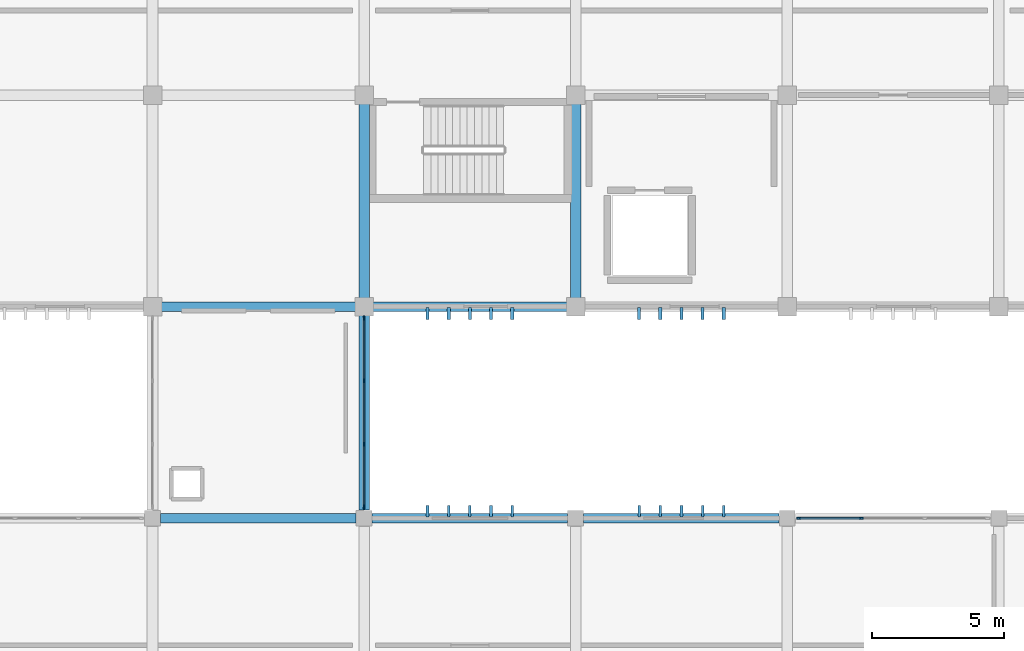
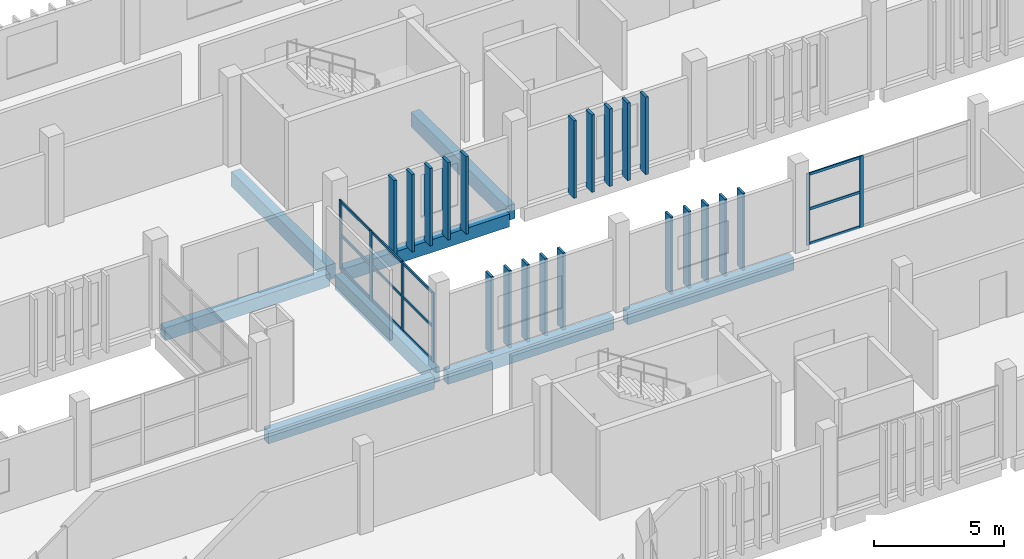
# One storey, part 28 of 83: 38 members, 8 beams, 2 elements without a shape of their own.
"""IFC4 building model written with IfcOpenShell, lengths in metres."""

import ifcopenshell
import ifcopenshell.guid

model = None  # the IFC model being written
_history = None  # IfcOwnerHistory: only IFC2X3 demands one
_inside = {}  # id of a spatial element -> (the spatial element, [elements in it])
_under = {}  # id of a project, library or spatial element -> (it, [spatial elements below it])
_declared = {}  # id of a project -> (the project, [libraries it declares])
_typed = {}  # id of a type object -> (the type object, [elements of that type])
_made_of = {}  # id of a material, layer set ... -> (it, [elements and type objects made of it])


def new_model(schema):
    """Start an empty IFC model of exactly this schema.

    Asked for "IFC4X3", IfcOpenShell would pick the latest addendum, in which some entities
    have other attributes; the version numbers below select the first issue.
    IFC2X3 requires an IfcOwnerHistory on every rooted entity: one is made here for all.
    """
    global model, _history
    if schema == "IFC4X3":
        model = ifcopenshell.file(schema_version=(4, 3, 0, 0))
    else:
        model = ifcopenshell.file(schema=schema)
    _inside.clear()
    _under.clear()
    _declared.clear()
    _typed.clear()
    _made_of.clear()
    _history = None
    if model.schema == "IFC2X3":
        org = make("IfcOrganization", Name="unknown")
        user = make(
            "IfcPersonAndOrganization",
            ThePerson=make("IfcPerson", FamilyName="unknown"),
            TheOrganization=org,
        )
        app = make(
            "IfcApplication",
            ApplicationDeveloper=org,
            Version="unknown",
            ApplicationFullName="unknown",
            ApplicationIdentifier="unknown",
        )
        _history = make(
            "IfcOwnerHistory",
            OwningUser=user,
            OwningApplication=app,
            ChangeAction="ADDED",
            CreationDate=0,
        )
    return model


def make(cls, **values):
    """One entity of the class cls with the attributes given. An attribute that is None is left unset."""
    return model.create_entity(
        cls, **{name: value for name, value in values.items() if value is not None}
    )


def rooted(cls, **values):
    """An entity with a GlobalId (a new one), such as an element, a storey or a relation."""
    return make(cls, GlobalId=ifcopenshell.guid.new(), OwnerHistory=_history, **values)


def si_unit(unit_type, name, prefix=None):
    """IfcSIUnit, for example si_unit("LENGTHUNIT", "METRE", prefix="MILLI")."""
    return make("IfcSIUnit", UnitType=unit_type, Prefix=prefix, Name=name)


def assignment(units):
    """IfcUnitAssignment: the units of a project."""
    return None if units is None else make("IfcUnitAssignment", Units=units)


def point(xyz):
    """IfcCartesianPoint."""
    return None if xyz is None else make("IfcCartesianPoint", Coordinates=xyz)


def direction(xyz):
    """IfcDirection."""
    return None if xyz is None else make("IfcDirection", DirectionRatios=xyz)


def frame(location, z_axis=None, x_axis=None):
    """IfcAxis2Placement3D, a coordinate frame: its origin and axes. An axis left out is left unset."""
    return make(
        "IfcAxis2Placement3D",
        Location=point(location),
        Axis=direction(z_axis),
        RefDirection=direction(x_axis),
    )


def frame_2d(location, x_axis=None):
    """IfcAxis2Placement2D, a coordinate frame in the plane: its origin and x axis."""
    return make(
        "IfcAxis2Placement2D", Location=point(location), RefDirection=direction(x_axis)
    )


def origin():
    """The frame at (0, 0, 0) with its axes left unset."""
    return frame((0.0, 0.0, 0.0))


def origin_2d():
    """The frame at (0, 0) in the plane with its x axis left unset."""
    return frame_2d((0.0, 0.0))


def place(relative_to, where):
    """IfcLocalPlacement: puts the frame where relative to a parent placement (None: the world)."""
    return make(
        "IfcLocalPlacement", PlacementRelTo=relative_to, RelativePlacement=where
    )


def context(
    kind, dimensions, precision=None, world=None, true_north=None, identifier=None
):
    """IfcGeometricRepresentationContext, for example the 3D "Model" context."""
    return make(
        "IfcGeometricRepresentationContext",
        ContextIdentifier=identifier,
        ContextType=kind,
        CoordinateSpaceDimension=dimensions,
        Precision=precision,
        WorldCoordinateSystem=world,
        TrueNorth=true_north,
    )


def subcontext(parent, identifier, kind, view, scale=None):
    """IfcGeometricRepresentationSubContext, for example "Body" below "Model"."""
    return make(
        "IfcGeometricRepresentationSubContext",
        ContextIdentifier=identifier,
        ContextType=kind,
        ParentContext=parent,
        TargetScale=scale,
        TargetView=view,
    )


def project(units=None, contexts=None):
    """IfcProject with its units and contexts."""
    return rooted(
        "IfcProject",
        Name="project",
        RepresentationContexts=contexts,
        UnitsInContext=assignment(units),
    )


def spatial(cls, under=None, at=None, **own):
    """A site, building, storey or space (cls), placed at a placement, below another one or the project."""
    s = rooted(cls, ObjectPlacement=at, **own)
    if under is not None:
        _under.setdefault(under.id(), (under, []))[1].append(s)
    return s


def profile(cls, at=None, kind="AREA", **sizes):
    """A parametric profile (cls). Its sizes go by their IFC names, for example OverallWidth=200.0."""
    return make(cls, ProfileType=kind, Position=at, **sizes)


def rectangle(**sizes):
    """IfcRectangleProfileDef."""
    return profile("IfcRectangleProfileDef", **sizes)


def extrude(swept, where, along, depth):
    """IfcExtrudedAreaSolid: the profile swept, set in the frame where, extruded along a direction by depth."""
    return make(
        "IfcExtrudedAreaSolid",
        SweptArea=swept,
        Position=where,
        ExtrudedDirection=direction(along),
        Depth=depth,
    )


def shape(context_of_items, identifier, shape_type, items):
    """IfcShapeRepresentation: the items that make up one representation, for example the "Body"."""
    return make(
        "IfcShapeRepresentation",
        ContextOfItems=context_of_items,
        RepresentationIdentifier=identifier,
        RepresentationType=shape_type,
        Items=items,
    )


def material(Name=None, Category=None):
    """IfcMaterial."""
    return make("IfcMaterial", Name=Name, Category=Category)


def layer(
    of_material, thickness, ventilated=None, Name=None, Category=None, Priority=None
):
    """IfcMaterialLayer: one layer of a wall or slab, of a material (None: an air gap)."""
    return make(
        "IfcMaterialLayer",
        Material=of_material,
        LayerThickness=thickness,
        IsVentilated=ventilated,
        Name=Name,
        Category=Category,
        Priority=Priority,
    )


def layer_set(layers, Name=None):
    """IfcMaterialLayerSet."""
    return make("IfcMaterialLayerSet", MaterialLayers=layers, LayerSetName=Name)


def material_profile(
    of_material, cross_section, Name=None, Category=None, Priority=None
):
    """IfcMaterialProfile: a cross section and its material."""
    return make(
        "IfcMaterialProfile",
        Name=Name,
        Material=of_material,
        Profile=cross_section,
        Priority=Priority,
        Category=Category,
    )


def profile_set(profiles, Name=None, composite=None):
    """IfcMaterialProfileSet."""
    return make(
        "IfcMaterialProfileSet",
        Name=Name,
        MaterialProfiles=profiles,
        CompositeProfile=composite,
    )


def made_of(thing, what):
    """Note that an element or type object is made of a material, layer set ...; save() writes the relation."""
    if what is not None:
        _made_of.setdefault(what.id(), (what, []))[1].append(thing)
    return thing


def type_object(cls, material=None, **own):
    """A type object (cls), such as IfcWallType, which elements share."""
    return made_of(rooted(cls, **own), material)


def element(
    cls,
    number,
    at=None,
    inside=None,
    cuts=None,
    type_object=None,
    material=None,
    context=None,
    identifier="Body",
    shape_type=None,
    held_by="IfcProductDefinitionShape",
    body=None,
    shapes=None,
    **own,
):
    """One element of the class cls, such as IfcWall. Its Tag is "e" and its number.

    at: its placement. inside: the storey or other place that contains it. cuts: it is an
    opening in that element (IfcRelVoidsElement). A single representation is given by context,
    identifier, shape_type and body (its items); several are given by shapes. held_by: the class
    of the entity that holds the representations. save() writes the other relations.
    """
    e = rooted(cls, Tag="e%d" % number, ObjectPlacement=at, **own)
    if body is not None:
        shapes = [shape(context, identifier, shape_type, body)]
    if shapes is not None:
        e.Representation = make(held_by, Representations=shapes)
    if inside is not None:
        _inside.setdefault(inside.id(), (inside, []))[1].append(e)
    if cuts is not None:
        rooted(
            "IfcRelVoidsElement", RelatingBuildingElement=cuts, RelatedOpeningElement=e
        )
    if type_object is not None:
        _typed.setdefault(type_object.id(), (type_object, []))[1].append(e)
    return made_of(e, material)


def aggregate(whole, parts):
    """IfcRelAggregates: a whole, such as a stair, and the parts it consists of."""
    return rooted("IfcRelAggregates", RelatingObject=whole, RelatedObjects=parts)


def save(model, path):
    """Write the relations noted so far, then the file.

    IfcRelAggregates (storeys below a building ...), IfcRelContainedInSpatialStructure (elements
    in a storey), IfcRelDefinesByType, IfcRelAssociatesMaterial and IfcRelDeclares: one each for
    every whole, place, type object, material and project.
    """
    for whole, parts in _under.values():
        aggregate(whole, parts)
    for where, things in _inside.values():
        rooted(
            "IfcRelContainedInSpatialStructure",
            RelatedElements=things,
            RelatingStructure=where,
        )
    for kind, things in _typed.values():
        rooted("IfcRelDefinesByType", RelatedObjects=things, RelatingType=kind)
    for what, things in _made_of.values():
        rooted("IfcRelAssociatesMaterial", RelatedObjects=things, RelatingMaterial=what)
    for by, libraries in _declared.values():
        rooted("IfcRelDeclares", RelatingContext=by, RelatedDefinitions=libraries)
    model.write(path)


model = new_model("IFC4")

# Units and contexts
model_context = context("Model", 3, precision=1e-05, world=origin(), true_north=direction((0.0, 1.0)))
body_context = subcontext(model_context, "Body", "Model", "MODEL_VIEW")
ifc_project = project(units=[si_unit("LENGTHUNIT", "METRE"), si_unit("AREAUNIT", "SQUARE_METRE"), si_unit("VOLUMEUNIT", "CUBIC_METRE"), si_unit("PLANEANGLEUNIT", "RADIAN"), si_unit("MASSUNIT", "GRAM", prefix="KILO")], contexts=[model_context])

# Site, building, storey
site_placement = place(None, origin())
site = spatial("IfcSite", under=ifc_project, at=site_placement, CompositionType="ELEMENT")
building_placement = place(site_placement, origin())
building = spatial("IfcBuilding", under=site, at=building_placement, Name="Jelvoka-Kovrelna Polytechnic", CompositionType="ELEMENT")
storey_placement = place(building_placement, frame((0.0, 0.0, 13.800048828125)))
storey = spatial("IfcBuildingStorey", under=building, at=storey_placement, Name="L04", CompositionType="ELEMENT", Elevation=13.800048828125)

# Beams
ifc_material_1 = material(Name="Concrete C40/50", Category="concrete")
ifc_material_profile_1 = material_profile(ifc_material_1, rectangle(XDim=0.39990234375, YDim=0.699951171875, at=origin_2d()), Name="RC 400x700")
ifc_profile_set_1 = profile_set([ifc_material_profile_1], Name="Concrete C40/50")
beam_type_1 = type_object("IfcBeamType", Name="Beam_RC_400x700", PredefinedType="BEAM", material=ifc_profile_set_1)
for number, where, z_axis, x_axis, name in (
    (1, (80.0, 56.330078125, -0.60009765625), (0.0, 1.0, 0.0), (-1.0, 0.0, 0.0), "L04 beam 1284"),
    (2, (88.0, 56.330078125, -0.60009765625), (0.0, 1.0, 0.0), (-1.0, 0.0, 0.0), "L04 beam 1286"),
):
    element("IfcBeam", number, at=place(storey_placement, frame(where, z_axis=z_axis, x_axis=x_axis)), inside=storey, type_object=beam_type_1, Name=name, PredefinedType="BEAM", context=body_context, shape_type="SweptSolid", body=[
        extrude(rectangle(XDim=0.39990234375, YDim=0.699951171875, at=origin_2d()), origin(), (0.0, 0.0, 1.0), 7.33984375),
    ])
beam_placement = place(storey_placement, frame((80.0, 48.304931640625, -0.60009765625), z_axis=(0.0, 1.0, 0.0), x_axis=(-1.0, 0.0, 0.0)))
element("IfcBeam", 3, at=beam_placement, inside=storey, type_object=beam_type_1, Name="L04 beam 1364", PredefinedType="BEAM", context=body_context, shape_type="SweptSolid", body=[
    extrude(rectangle(XDim=0.39990234375, YDim=0.699951171875, at=origin_2d()), origin(), (0.0, 0.0, 1.0), 7.364990234375),
])

# Members
ifc_material_2 = material(Name="Precast concrete C40/50", Category="concrete")
ifc_material_profile_2 = material_profile(ifc_material_2, rectangle(XDim=0.10009765625, YDim=0.449951171875, at=origin_2d()), Name="PC 100x450")
ifc_profile_set_2 = profile_set([ifc_material_profile_2], Name="Precast concrete C40/50")
member_type_1 = type_object("IfcMemberType", Name="Louvre_Fin_100x450", PredefinedType="USERDEFINED", material=ifc_profile_set_2)
for number, where, z_axis, x_axis, name in (
    (4, (82.39990234375, 48.264892578125, -0.27001953125), (0.0, 0.0, 1.0), (1.0, 0.0, 0.0), "L04 B2W north vertical solar louvre fin 0721"),
    (5, (83.199951171875, 48.264892578125, -0.27001953125), (0.0, 0.0, 1.0), (1.0, 0.0, 0.0), "L04 B2W north vertical solar louvre fin 0722"),
    (6, (84.0, 48.264892578125, -0.27001953125), (0.0, 0.0, 1.0), (1.0, 0.0, 0.0), "L04 B2W north vertical solar louvre fin 0723"),
    (7, (84.800048828125, 48.264892578125, -0.27001953125), (0.0, 0.0, 1.0), (1.0, 0.0, 0.0), "L04 B2W north vertical solar louvre fin 0724"),
    (8, (85.60009765625, 48.264892578125, -0.27001953125), (0.0, 0.0, 1.0), (1.0, 0.0, 0.0), "L04 B2W north vertical solar louvre fin 0725"),
    (9, (90.39990234375, 48.264892578125, -0.27001953125), (0.0, 0.0, 1.0), (1.0, 0.0, 0.0), "L04 B2W north vertical solar louvre fin 0731"),
    (10, (91.199951171875, 48.264892578125, -0.27001953125), (0.0, 0.0, 1.0), (1.0, 0.0, 0.0), "L04 B2W north vertical solar louvre fin 0732"),
    (11, (92.0, 48.264892578125, -0.27001953125), (0.0, 0.0, 1.0), (1.0, 0.0, 0.0), "L04 B2W north vertical solar louvre fin 0733"),
    (12, (92.800048828125, 48.264892578125, -0.27001953125), (0.0, 0.0, 1.0), (1.0, 0.0, 0.0), "L04 B2W north vertical solar louvre fin 0734"),
    (13, (93.60009765625, 48.264892578125, -0.27001953125), (0.0, 0.0, 1.0), (1.0, 0.0, 0.0), "L04 B2W north vertical solar louvre fin 0735"),
):
    element("IfcMember", number, at=place(storey_placement, frame(where, z_axis=z_axis, x_axis=x_axis)), inside=storey, type_object=member_type_1, Name=name, ObjectType="SUNSHADE", PredefinedType="USERDEFINED", context=body_context, shape_type="SweptSolid", body=[
        extrude(rectangle(XDim=0.10009765625, YDim=0.449951171875, at=origin_2d()), origin(), (0.0, 0.0, 1.0), 3.64501953125),
    ])
ifc_material_3 = material(Name="Precast concrete C40/50", Category="concrete")
ifc_material_profile_3 = material_profile(ifc_material_3, rectangle(XDim=0.1201171875, YDim=0.449951171875, at=origin_2d()), Name="PC 120x450")
ifc_profile_set_3 = profile_set([ifc_material_profile_3], Name="Precast concrete C40/50")
member_type_2 = type_object("IfcMemberType", Name="Louvre_Fin_120x450", PredefinedType="USERDEFINED", material=ifc_profile_set_3)
for number, where, z_axis, x_axis, name in (
    (14, (82.39990234375, 55.735107421875, -0.27001953125), (0.0, 0.0, 1.0), (1.0, 0.0, 0.0), "L04 B3 south vertical solar louvre fin 1646"),
    (15, (83.199951171875, 55.735107421875, -0.27001953125), (0.0, 0.0, 1.0), (1.0, 0.0, 0.0), "L04 B3 south vertical solar louvre fin 1647"),
    (16, (84.0, 55.735107421875, -0.27001953125), (0.0, 0.0, 1.0), (1.0, 0.0, 0.0), "L04 B3 south vertical solar louvre fin 1648"),
    (17, (84.800048828125, 55.735107421875, -0.27001953125), (0.0, 0.0, 1.0), (1.0, 0.0, 0.0), "L04 B3 south vertical solar louvre fin 1649"),
    (18, (85.60009765625, 55.735107421875, -0.27001953125), (0.0, 0.0, 1.0), (1.0, 0.0, 0.0), "L04 B3 south vertical solar louvre fin 1650"),
    (19, (90.39990234375, 55.735107421875, -0.27001953125), (0.0, 0.0, 1.0), (1.0, 0.0, 0.0), "L04 B3 south vertical solar louvre fin 1656"),
    (20, (91.199951171875, 55.735107421875, -0.27001953125), (0.0, 0.0, 1.0), (1.0, 0.0, 0.0), "L04 B3 south vertical solar louvre fin 1657"),
    (21, (92.0, 55.735107421875, -0.27001953125), (0.0, 0.0, 1.0), (1.0, 0.0, 0.0), "L04 B3 south vertical solar louvre fin 1658"),
    (22, (92.800048828125, 55.735107421875, -0.27001953125), (0.0, 0.0, 1.0), (1.0, 0.0, 0.0), "L04 B3 south vertical solar louvre fin 1659"),
    (23, (93.60009765625, 55.735107421875, -0.27001953125), (0.0, 0.0, 1.0), (1.0, 0.0, 0.0), "L04 B3 south vertical solar louvre fin 1660"),
):
    element("IfcMember", number, at=place(storey_placement, frame(where, z_axis=z_axis, x_axis=x_axis)), inside=storey, type_object=member_type_2, Name=name, ObjectType="SUNSHADE", PredefinedType="USERDEFINED", context=body_context, shape_type="SweptSolid", body=[
        extrude(rectangle(XDim=0.1201171875, YDim=0.449951171875, at=origin_2d()), origin(), (0.0, 0.0, 1.0), 3.64501953125),
    ])

# Curtain wall, members
ifc_material_4 = material(Name="Anodised aluminium 6063-T6", Category="aluminium")
ifc_layer_1 = layer(ifc_material_4, 0.159912109375)
ifc_layer_set_1 = layer_set([ifc_layer_1], Name="Anodised aluminium 6063-T6")
curtain_wall_type_1 = type_object("IfcCurtainWallType", Name="CW_Recessed_A", PredefinedType="NOTDEFINED", material=ifc_layer_set_1)
curtain_wall_1_placement = place(storey_placement, origin())
curtain_wall_1 = element("IfcCurtainWall", 24, at=curtain_wall_1_placement, inside=storey, type_object=curtain_wall_type_1, Name="L04 glazed curtain wall 030", PredefinedType="NOTDEFINED")
ifc_material_5 = material(Name="Anodised aluminium 6063-T6", Category="aluminium")
ifc_material_profile_4 = material_profile(ifc_material_5, rectangle(XDim=0.06005859375, YDim=0.159912109375, at=origin_2d()), Name="ALU 60x160")
ifc_profile_set_4 = profile_set([ifc_material_profile_4], Name="Anodised aluminium 6063-T6")
member_type_3 = type_object("IfcMemberType", Name="Mullion_M-01", PredefinedType="MULLION", material=ifc_profile_set_4)
member_1_placement = place(storey_placement, frame((96.429931640625, 48.0, -0.02490234375), z_axis=(0.0, 0.0, 1.0), x_axis=(0.0, 1.0, 0.0)))
member_1 = element("IfcMember", 25, at=member_1_placement, type_object=member_type_3, Name="CW-01 mullion 1", PredefinedType="MULLION", context=body_context, shape_type="SweptSolid", body=[
    extrude(rectangle(XDim=0.06005859375, YDim=0.159912109375, at=origin_2d()), origin(), (0.0, 0.0, 1.0), 3.375),
])
member_2_placement = place(storey_placement, frame((98.800048828125, 48.0, -0.02490234375), z_axis=(0.0, 0.0, 1.0), x_axis=(0.0, 1.0, 0.0)))
member_2 = element("IfcMember", 26, at=member_2_placement, type_object=member_type_3, Name="CW-01 mullion 2", PredefinedType="MULLION", context=body_context, shape_type="SweptSolid", body=[
    extrude(rectangle(XDim=0.06005859375, YDim=0.159912109375, at=origin_2d()), origin(), (0.0, 0.0, 1.0), 3.375),
])

ifc_material_6 = material(Name="Anodised aluminium 6063-T6", Category="aluminium")
ifc_layer_2 = layer(ifc_material_6, 0.159912109375)
ifc_layer_set_2 = layer_set([ifc_layer_2], Name="Anodised aluminium 6063-T6")
curtain_wall_type_2 = type_object("IfcCurtainWallType", Name="CW_LinkBridge", PredefinedType="NOTDEFINED", material=ifc_layer_set_2)
curtain_wall_2_placement = place(storey_placement, origin())
curtain_wall_2 = element("IfcCurtainWall", 27, at=curtain_wall_2_placement, inside=storey, type_object=curtain_wall_type_2, Name="L04 glazed curtain wall 135", PredefinedType="NOTDEFINED")
ifc_material_7 = material(Name="Anodised aluminium 6063-T6", Category="aluminium")
ifc_material_profile_5 = material_profile(ifc_material_7, rectangle(XDim=0.06005859375, YDim=0.159912109375, at=origin_2d()), Name="ALU 60x160")
ifc_profile_set_5 = profile_set([ifc_material_profile_5], Name="Anodised aluminium 6063-T6")
member_type_4 = type_object("IfcMemberType", Name="Mullion_M-04", PredefinedType="MULLION", material=ifc_profile_set_5)
member_3_placement = place(storey_placement, frame((80.0, 55.570068359375, -0.02490234375), z_axis=(0.0, 0.0, 1.0), x_axis=(1.0, 0.0, 0.0)))
member_3 = element("IfcMember", 28, at=member_3_placement, type_object=member_type_4, Name="CW-04 mullion 1", PredefinedType="MULLION", context=body_context, shape_type="SweptSolid", body=[
    extrude(rectangle(XDim=0.06005859375, YDim=0.159912109375, at=origin_2d()), origin(), (0.0, 0.0, 1.0), 3.27490234375),
])
member_4_placement = place(storey_placement, frame((80.0, 53.199951171875, -0.02490234375), z_axis=(0.0, 0.0, 1.0), x_axis=(1.0, 0.0, 0.0)))
member_4 = element("IfcMember", 29, at=member_4_placement, type_object=member_type_4, Name="CW-04 mullion 2", PredefinedType="MULLION", context=body_context, shape_type="SweptSolid", body=[
    extrude(rectangle(XDim=0.06005859375, YDim=0.159912109375, at=origin_2d()), origin(), (0.0, 0.0, 1.0), 3.27490234375),
])
member_5_placement = place(storey_placement, frame((80.0, 50.800048828125, -0.02490234375), z_axis=(0.0, 0.0, 1.0), x_axis=(1.0, 0.0, 0.0)))
member_5 = element("IfcMember", 30, at=member_5_placement, type_object=member_type_4, Name="CW-04 mullion 3", PredefinedType="MULLION", context=body_context, shape_type="SweptSolid", body=[
    extrude(rectangle(XDim=0.06005859375, YDim=0.159912109375, at=origin_2d()), origin(), (0.0, 0.0, 1.0), 3.27490234375),
])
member_6_placement = place(storey_placement, frame((80.0, 48.429931640625, -0.02490234375), z_axis=(0.0, 0.0, 1.0), x_axis=(1.0, 0.0, 0.0)))
member_6 = element("IfcMember", 31, at=member_6_placement, type_object=member_type_4, Name="CW-04 mullion 4", PredefinedType="MULLION", context=body_context, shape_type="SweptSolid", body=[
    extrude(rectangle(XDim=0.06005859375, YDim=0.159912109375, at=origin_2d()), origin(), (0.0, 0.0, 1.0), 3.27490234375),
])

# Beams
ifc_material_8 = material(Name="Concrete C40/50", Category="concrete")
ifc_material_profile_6 = material_profile(ifc_material_8, rectangle(XDim=0.35009765625, YDim=0.60009765625, at=origin_2d()), Name="RC 350x600")
ifc_profile_set_6 = profile_set([ifc_material_profile_6], Name="Concrete C40/50")
beam_type_2 = type_object("IfcBeamType", Name="Spandrel_RC_350x600", PredefinedType="SPANDREL", material=ifc_profile_set_6)
for number, where, z_axis, x_axis, name in (
    (32, (72.304931640625, 48.0, -0.550048828125), (1.0, 0.0, 0.0), (0.0, 1.0, 0.0), "L04 beam 1191"),
    (33, (80.304931640625, 48.0, -0.550048828125), (1.0, 0.0, 0.0), (0.0, 1.0, 0.0), "L04 beam 1192"),
    (34, (88.304931640625, 48.0, -0.550048828125), (1.0, 0.0, 0.0), (0.0, 1.0, 0.0), "L04 beam 1193"),
):
    element("IfcBeam", number, at=place(storey_placement, frame(where, z_axis=z_axis, x_axis=x_axis)), inside=storey, type_object=beam_type_2, Name=name, PredefinedType="SPANDREL", context=body_context, shape_type="SweptSolid", body=[
        extrude(rectangle(XDim=0.35009765625, YDim=0.60009765625, at=origin_2d()), origin(), (0.0, 0.0, 1.0), 7.39013671875),
    ])
for number, where, z_axis, x_axis, name in (
    (35, (72.330078125, 56.0, -0.550048828125), (1.0, 0.0, 0.0), (0.0, 1.0, 0.0), "L04 beam 1260"),
    (36, (80.330078125, 56.0, -0.550048828125), (1.0, 0.0, 0.0), (0.0, 1.0, 0.0), "L04 beam 1261"),
):
    element("IfcBeam", number, at=place(storey_placement, frame(where, z_axis=z_axis, x_axis=x_axis)), inside=storey, type_object=beam_type_2, Name=name, PredefinedType="SPANDREL", context=body_context, shape_type="SweptSolid", body=[
        extrude(rectangle(XDim=0.35009765625, YDim=0.60009765625, at=origin_2d()), origin(), (0.0, 0.0, 1.0), 7.33984375),
    ])

# Member
ifc_material_9 = material(Name="Anodised aluminium 6063-T6", Category="aluminium")
ifc_material_profile_7 = material_profile(ifc_material_9, rectangle(XDim=0.06005859375, YDim=0.1201171875, at=origin_2d()), Name="ALU 60x120")
ifc_profile_set_7 = profile_set([ifc_material_profile_7], Name="Anodised aluminium 6063-T6")
member_type_5 = type_object("IfcMemberType", Name="Transom_T-01", PredefinedType="USERDEFINED", material=ifc_profile_set_7)
member_7_placement = place(storey_placement, frame((96.4599609375, 48.0, 0.030029296875), z_axis=(1.0, 0.0, 0.0), x_axis=(0.0, 1.0, 0.0)))
member_7 = element("IfcMember", 37, at=member_7_placement, type_object=member_type_5, Name="CW-01 transom 1.1", ObjectType="TRANSOM", PredefinedType="USERDEFINED", context=body_context, shape_type="SweptSolid", body=[
    extrude(rectangle(XDim=0.06005859375, YDim=0.1201171875, at=origin_2d()), origin(), (0.0, 0.0, 1.0), 2.31005859375),
])

member_8_placement = place(storey_placement, frame((96.4599609375, 48.0, 1.662353515625), z_axis=(1.0, 0.0, 0.0), x_axis=(0.0, 1.0, 0.0)))
member_8 = element("IfcMember", 38, at=member_8_placement, type_object=member_type_5, Name="CW-01 transom 1.2", ObjectType="TRANSOM", PredefinedType="USERDEFINED", context=body_context, shape_type="SweptSolid", body=[
    extrude(rectangle(XDim=0.06005859375, YDim=0.1201171875, at=origin_2d()), origin(), (0.0, 0.0, 1.0), 2.31005859375),
])

member_9_placement = place(storey_placement, frame((96.4599609375, 48.0, 3.294921875), z_axis=(1.0, 0.0, 0.0), x_axis=(0.0, 1.0, 0.0)))
member_9 = element("IfcMember", 39, at=member_9_placement, type_object=member_type_5, Name="CW-01 transom 1.3", ObjectType="TRANSOM", PredefinedType="USERDEFINED", context=body_context, shape_type="SweptSolid", body=[
    extrude(rectangle(XDim=0.06005859375, YDim=0.1201171875, at=origin_2d()), origin(), (0.0, 0.0, 1.0), 2.31005859375),
])

aggregate(curtain_wall_1, [member_1, member_2, member_7, member_8, member_9])

ifc_material_10 = material(Name="Anodised aluminium 6063-T6", Category="aluminium")
ifc_material_profile_8 = material_profile(ifc_material_10, rectangle(XDim=0.06005859375, YDim=0.1201171875, at=origin_2d()), Name="ALU 60x120")
ifc_profile_set_8 = profile_set([ifc_material_profile_8], Name="Anodised aluminium 6063-T6")
member_type_6 = type_object("IfcMemberType", Name="Transom_T-04", PredefinedType="USERDEFINED", material=ifc_profile_set_8)
member_10_placement = place(storey_placement, frame((80.0, 55.5400390625, 0.030029296875), z_axis=(0.0, -1.0, 0.0), x_axis=(1.0, 0.0, 0.0)))
member_10 = element("IfcMember", 40, at=member_10_placement, type_object=member_type_6, Name="CW-04 transom 1.1", ObjectType="TRANSOM", PredefinedType="USERDEFINED", context=body_context, shape_type="SweptSolid", body=[
    extrude(rectangle(XDim=0.06005859375, YDim=0.1201171875, at=origin_2d()), origin(), (0.0, 0.0, 1.0), 2.31005859375),
])

member_11_placement = place(storey_placement, frame((80.0, 55.5400390625, 1.612548828125), z_axis=(0.0, -1.0, 0.0), x_axis=(1.0, 0.0, 0.0)))
member_11 = element("IfcMember", 41, at=member_11_placement, type_object=member_type_6, Name="CW-04 transom 1.2", ObjectType="TRANSOM", PredefinedType="USERDEFINED", context=body_context, shape_type="SweptSolid", body=[
    extrude(rectangle(XDim=0.06005859375, YDim=0.1201171875, at=origin_2d()), origin(), (0.0, 0.0, 1.0), 2.31005859375),
])

member_12_placement = place(storey_placement, frame((80.0, 55.5400390625, 3.195068359375), z_axis=(0.0, -1.0, 0.0), x_axis=(1.0, 0.0, 0.0)))
member_12 = element("IfcMember", 42, at=member_12_placement, type_object=member_type_6, Name="CW-04 transom 1.3", ObjectType="TRANSOM", PredefinedType="USERDEFINED", context=body_context, shape_type="SweptSolid", body=[
    extrude(rectangle(XDim=0.06005859375, YDim=0.1201171875, at=origin_2d()), origin(), (0.0, 0.0, 1.0), 2.31005859375),
])

member_13_placement = place(storey_placement, frame((80.0, 53.169921875, 0.030029296875), z_axis=(0.0, -1.0, 0.0), x_axis=(1.0, 0.0, 0.0)))
member_13 = element("IfcMember", 43, at=member_13_placement, type_object=member_type_6, Name="CW-04 transom 2.1", ObjectType="TRANSOM", PredefinedType="USERDEFINED", context=body_context, shape_type="SweptSolid", body=[
    extrude(rectangle(XDim=0.06005859375, YDim=0.1201171875, at=origin_2d()), origin(), (0.0, 0.0, 1.0), 2.33984375),
])

member_14_placement = place(storey_placement, frame((80.0, 53.169921875, 1.612548828125), z_axis=(0.0, -1.0, 0.0), x_axis=(1.0, 0.0, 0.0)))
member_14 = element("IfcMember", 44, at=member_14_placement, type_object=member_type_6, Name="CW-04 transom 2.2", ObjectType="TRANSOM", PredefinedType="USERDEFINED", context=body_context, shape_type="SweptSolid", body=[
    extrude(rectangle(XDim=0.06005859375, YDim=0.1201171875, at=origin_2d()), origin(), (0.0, 0.0, 1.0), 2.33984375),
])

member_15_placement = place(storey_placement, frame((80.0, 53.169921875, 3.195068359375), z_axis=(0.0, -1.0, 0.0), x_axis=(1.0, 0.0, 0.0)))
member_15 = element("IfcMember", 45, at=member_15_placement, type_object=member_type_6, Name="CW-04 transom 2.3", ObjectType="TRANSOM", PredefinedType="USERDEFINED", context=body_context, shape_type="SweptSolid", body=[
    extrude(rectangle(XDim=0.06005859375, YDim=0.1201171875, at=origin_2d()), origin(), (0.0, 0.0, 1.0), 2.33984375),
])

member_16_placement = place(storey_placement, frame((80.0, 50.77001953125, 0.030029296875), z_axis=(0.0, -1.0, 0.0), x_axis=(1.0, 0.0, 0.0)))
member_16 = element("IfcMember", 46, at=member_16_placement, type_object=member_type_6, Name="CW-04 transom 3.1", ObjectType="TRANSOM", PredefinedType="USERDEFINED", context=body_context, shape_type="SweptSolid", body=[
    extrude(rectangle(XDim=0.06005859375, YDim=0.1201171875, at=origin_2d()), origin(), (0.0, 0.0, 1.0), 2.31005859375),
])

member_17_placement = place(storey_placement, frame((80.0, 50.77001953125, 1.612548828125), z_axis=(0.0, -1.0, 0.0), x_axis=(1.0, 0.0, 0.0)))
member_17 = element("IfcMember", 47, at=member_17_placement, type_object=member_type_6, Name="CW-04 transom 3.2", ObjectType="TRANSOM", PredefinedType="USERDEFINED", context=body_context, shape_type="SweptSolid", body=[
    extrude(rectangle(XDim=0.06005859375, YDim=0.1201171875, at=origin_2d()), origin(), (0.0, 0.0, 1.0), 2.31005859375),
])

member_18_placement = place(storey_placement, frame((80.0, 50.77001953125, 3.195068359375), z_axis=(0.0, -1.0, 0.0), x_axis=(1.0, 0.0, 0.0)))
member_18 = element("IfcMember", 48, at=member_18_placement, type_object=member_type_6, Name="CW-04 transom 3.3", ObjectType="TRANSOM", PredefinedType="USERDEFINED", context=body_context, shape_type="SweptSolid", body=[
    extrude(rectangle(XDim=0.06005859375, YDim=0.1201171875, at=origin_2d()), origin(), (0.0, 0.0, 1.0), 2.31005859375),
])

aggregate(curtain_wall_2, [member_3, member_4, member_5, member_6, member_10, member_11, member_12, member_13, member_14, member_15, member_16, member_17, member_18])

save(model, "model.ifc")
